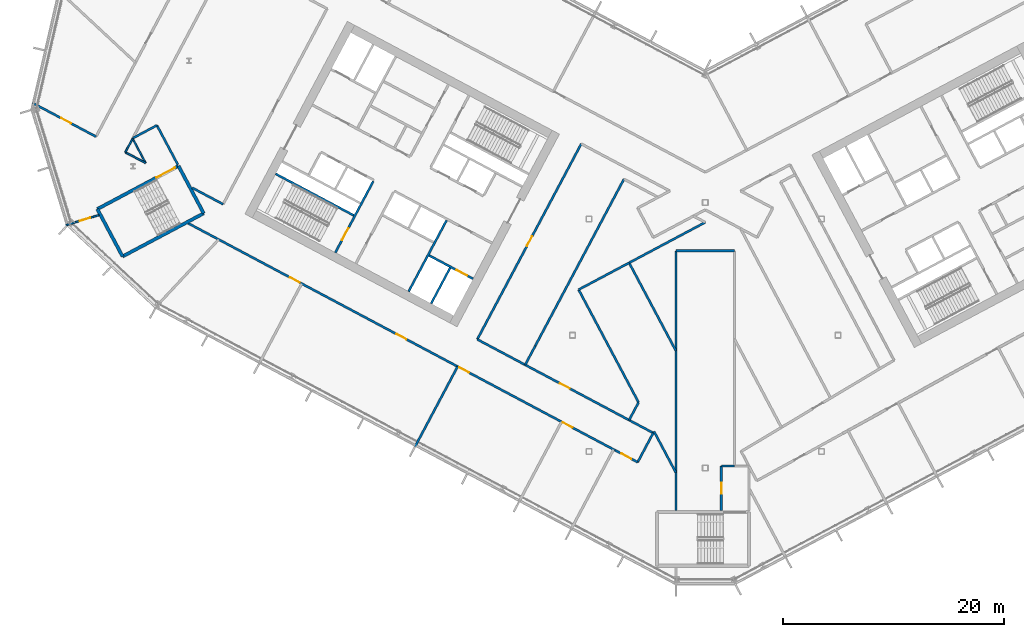
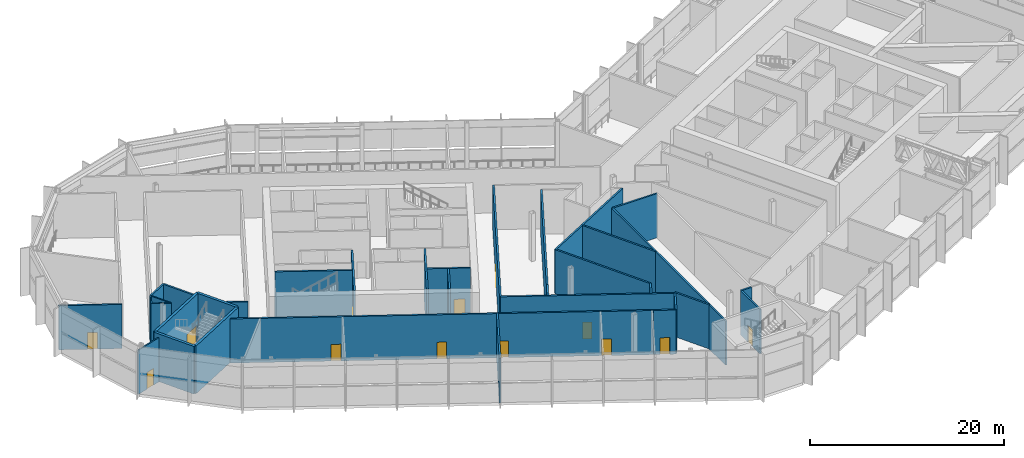
# One storey, part 13 of 33: 36 walls, 13 doors, 13 openings.
"""IFC4 building model written with IfcOpenShell, lengths in metres."""

from ifc_helpers import new_model, si_unit, direction, frame, frame_2d, origin, place, context, subcontext, project, spatial, rectangle, extrude, material, layer, layer_set, type_object, element, fill, save


model = new_model("IFC4")

# Units and contexts
model_context = context("Model", 3, precision=1e-05, world=origin(), true_north=direction((0.0, 1.0)))
body_context = subcontext(model_context, "Body", "Model", "MODEL_VIEW")
ifc_project = project(units=[si_unit("LENGTHUNIT", "METRE"), si_unit("AREAUNIT", "SQUARE_METRE"), si_unit("VOLUMEUNIT", "CUBIC_METRE"), si_unit("PLANEANGLEUNIT", "RADIAN"), si_unit("MASSUNIT", "GRAM", prefix="KILO")], contexts=[model_context])

# Site, building, storey
site_placement = place(None, origin())
site = spatial("IfcSite", under=ifc_project, at=site_placement, CompositionType="ELEMENT")
building_placement = place(site_placement, origin())
building = spatial("IfcBuilding", under=site, at=building_placement, Name="Cormorant Relay Tower", CompositionType="ELEMENT")
storey_placement = place(building_placement, frame((0.0, 0.0, 183.60009765625)))
storey = spatial("IfcBuildingStorey", under=building, at=storey_placement, Name="L39", CompositionType="ELEMENT", Elevation=183.60009765625)

# Walls
ifc_material_1 = material(Name="Concrete 50 MPa", Category="concrete")
ifc_layer_1 = layer(ifc_material_1, 0.199951171875)
ifc_layer_set_1 = layer_set([ifc_layer_1], Name="Core shaft wall 200")
wall_type_1 = type_object("IfcWallType", Name="Core shaft wall 200", PredefinedType="SHEAR", material=ifc_layer_set_1)
wall_1_placement = place(storey_placement, frame((-23.04296875, 6.07958984375, 0.0), z_axis=(0.0, 0.0, 1.0), x_axis=(-0.469494272526, -0.882935517501, 0.0)))
element("IfcWall", 1, at=wall_1_placement, inside=storey, type_object=wall_type_1, Name="L39 core A shaft wall", PredefinedType="SHEAR", context=body_context, shape_type="SweptSolid", body=[
    extrude(rectangle(XDim=3.64990234375, YDim=0.199951171875, at=frame_2d((1.824951171875, 0.0))), origin(), (0.0, 0.0, 1.0), 6.0),
])
wall_2_placement = place(storey_placement, frame((-23.360107421875, 10.38232421875, 0.0), z_axis=(0.0, 0.0, 1.0), x_axis=(-0.469480409012, -0.88294288918, 0.0)))
element("IfcWall", 2, at=wall_2_placement, inside=storey, type_object=wall_type_1, Name="L39 core A shaft wall", PredefinedType="SHEAR", context=body_context, shape_type="SweptSolid", body=[
    extrude(rectangle(XDim=7.300048828125, YDim=0.199951171875, at=frame_2d((3.64990234375, 0.0))), origin(), (0.0, 0.0, 1.0), 6.0),
])

# Wall, opening, door
wall_3_placement = place(storey_placement, frame((-29.982421875, 13.9033203125, 0.0), z_axis=(0.0, 0.0, 1.0), x_axis=(-0.469454336211, -0.882956752176, 0.0)))
wall_3 = element("IfcWall", 3, at=wall_3_placement, inside=storey, type_object=wall_type_1, Name="L39 core A shaft wall", PredefinedType="SHEAR", context=body_context, shape_type="SweptSolid", body=[
    extrude(rectangle(XDim=7.300048828125, YDim=0.199951171875, at=frame_2d((3.64990234375, 0.0))), origin(), (0.0, 0.0, 1.0), 6.0),
])
opening_1_placement = place(wall_3_placement, frame((4.800048828125, 0.0, 0.0)))
opening_1 = element("IfcOpeningElement", 4, at=opening_1_placement, cuts=wall_3, Name="Opening CDB-030", PredefinedType="OPENING", context=body_context, shape_type="SweptSolid", body=[
    extrude(rectangle(XDim=1.199951171875, YDim=2.10009765625, at=frame_2d((0.60009765625, 1.050048828125))), frame((0.0, 0.10986328125, 0.0), z_axis=(0.0, -1.0, 0.0), x_axis=(1.0, 0.0, 0.0)), (0.0, 0.0, 1.0), 0.219970703125),
])
ifc_material_2 = material(Name="Steel fire door", Category="steel")
door_type_1 = type_object("IfcDoorType", Name="Core stair door 1200x2100", OperationType="SINGLE_SWING_LEFT", PredefinedType="DOOR", material=ifc_material_2)
door_1_placement = place(opening_1_placement, frame((1.199951171875, 0.0, 0.0), z_axis=(0.0, 0.0, 1.0), x_axis=(-1.0, 0.0, 0.0)))
door_1 = element("IfcDoor", 5, at=door_1_placement, inside=storey, type_object=door_type_1, Name="Core stair door 1200x2100", OperationType="SINGLE_SWING_RIGHT", OverallHeight=2.10009765625, OverallWidth=1.199951171875, PredefinedType="DOOR", context=body_context, shape_type="SweptSolid", body=[
    extrude(rectangle(XDim=1.199951171875, YDim=2.10009765625, at=frame_2d((0.60009765625, 1.050048828125))), frame((0.0, 0.02490234375, 0.0), z_axis=(0.0, -1.0, 0.0), x_axis=(1.0, 0.0, 0.0)), (0.0, 0.0, 1.0), 0.050048828125),
])
fill(opening_1, door_1)

wall_4_placement = place(storey_placement, frame((-20.96533203125, 5.088134765625, 0.0), z_axis=(0.0, 0.0, 1.0), x_axis=(-0.882925986334, 0.469512196493, 0.0)))
wall_4 = element("IfcWall", 6, at=wall_4_placement, inside=storey, type_object=wall_type_1, Name="L39 core A shaft wall", PredefinedType="SHEAR", context=body_context, shape_type="SweptSolid", body=[
    extrude(rectangle(XDim=4.5, YDim=0.199951171875, at=frame_2d((2.25, 0.0))), origin(), (0.0, 0.0, 1.0), 6.0),
])
opening_2_placement = place(wall_4_placement, frame((0.60009765625, 0.0, 0.0)))
opening_2 = element("IfcOpeningElement", 7, at=opening_2_placement, cuts=wall_4, Name="Opening LD1-035", PredefinedType="OPENING", context=body_context, shape_type="SweptSolid", body=[
    extrude(rectangle(XDim=1.10009765625, YDim=2.10009765625, at=frame_2d((0.550048828125, 1.050048828125))), frame((0.0, 0.10986328125, 0.0), z_axis=(0.0, -1.0, 0.0), x_axis=(1.0, 0.0, 0.0)), (0.0, 0.0, 1.0), 0.219970703125),
])
ifc_material_3 = material(Name="Stainless steel 316", Category="steel")
door_type_2 = type_object("IfcDoorType", Name="Lift landing door 1100x2100", OperationType="DOUBLE_DOOR_SLIDING", PredefinedType="DOOR", material=ifc_material_3)
door_2_placement = place(opening_2_placement, origin())
door_2 = element("IfcDoor", 8, at=door_2_placement, inside=storey, type_object=door_type_2, Name="FF1 landing door", OperationType="DOUBLE_DOOR_SLIDING", OverallHeight=2.10009765625, OverallWidth=1.10009765625, PredefinedType="DOOR", context=body_context, shape_type="SweptSolid", body=[
    extrude(rectangle(XDim=1.10009765625, YDim=2.10009765625, at=frame_2d((0.550048828125, 1.050048828125))), frame((0.0, 0.02490234375, 0.0), z_axis=(0.0, -1.0, 0.0), x_axis=(1.0, 0.0, 0.0)), (0.0, 0.0, 1.0), 0.050048828125),
])
fill(opening_2, door_2)

# Wall
wall_5_placement = place(storey_placement, frame((-31.7373046875, 10.815673828125, 0.0), z_axis=(0.0, 0.0, 1.0), x_axis=(-0.882940221191, 0.469485426614, 0.0)))
element("IfcWall", 9, at=wall_5_placement, inside=storey, type_object=wall_type_1, Name="L39 core A shaft wall", PredefinedType="SHEAR", context=body_context, shape_type="SweptSolid", body=[
    extrude(rectangle(XDim=8.0, YDim=0.199951171875, at=frame_2d((4.0, 0.0))), origin(), (0.0, 0.0, 1.0), 6.0),
])

# Wall, opening, door
ifc_material_4 = material(Name="Fire-rated gypsum board partition")
ifc_layer_2 = layer(ifc_material_4, 0.199951171875)
ifc_layer_set_2 = layer_set([ifc_layer_2], Name="Fire-rated gypsum partition 200")
wall_type_2 = type_object("IfcWallType", Name="Fire-rated gypsum partition 200", PredefinedType="PARTITIONING", material=ifc_layer_set_2)
wall_6_placement = place(storey_placement, frame((-55.02294921875, 17.929931640625, 0.0), z_axis=(0.0, 0.0, 1.0), x_axis=(-0.882885586621, 0.469588160984, 0.0)))
wall_6 = element("IfcWall", 10, at=wall_6_placement, inside=storey, type_object=wall_type_2, Name="wall/L39/part/4", PredefinedType="PARTITIONING", context=body_context, shape_type="SweptSolid", body=[
    extrude(rectangle(XDim=6.52734375, YDim=0.199951171875, at=frame_2d((3.263671875, 0.0))), origin(), (0.0, 0.0, 1.0), 5.5498046875),
])
opening_3_placement = place(wall_6_placement, frame((2.550048828125, 0.0, 0.0)))
opening_3 = element("IfcOpeningElement", 11, at=opening_3_placement, cuts=wall_6, Name="Opening FD1-160", PredefinedType="OPENING", context=body_context, shape_type="SweptSolid", body=[
    extrude(rectangle(XDim=1.0, YDim=2.10009765625, at=frame_2d((0.5, 1.050048828125))), frame((0.0, 0.10986328125, 0.0), z_axis=(0.0, -1.0, 0.0), x_axis=(1.0, 0.0, 0.0)), (0.0, 0.0, 1.0), 0.219970703125),
])
ifc_material_5 = material(Name="Fire-rated steel door", Category="steel")
door_type_3 = type_object("IfcDoorType", Name="Fire door 1000 x 2100", OperationType="SINGLE_SWING_LEFT", PredefinedType="DOOR", material=ifc_material_5)
door_3_placement = place(opening_3_placement, frame((1.0, 0.0, 0.0), z_axis=(0.0, 0.0, 1.0), x_axis=(-1.0, 0.0, 0.0)))
door_3 = element("IfcDoor", 12, at=door_3_placement, inside=storey, type_object=door_type_3, Name="door/L39/2", OperationType="SINGLE_SWING_RIGHT", OverallHeight=2.10009765625, OverallWidth=1.0, PredefinedType="DOOR", context=body_context, shape_type="SweptSolid", body=[
    extrude(rectangle(XDim=1.0, YDim=2.10009765625, at=frame_2d((0.5, 1.050048828125))), frame((0.0, 0.02490234375, 0.0), z_axis=(0.0, -1.0, 0.0), x_axis=(1.0, 0.0, 0.0)), (0.0, 0.0, 1.0), 0.050048828125),
])
fill(opening_3, door_3)

# Walls
wall_7_placement = place(storey_placement, frame((-47.63720703125, 15.40869140625, 0.0), z_axis=(0.0, 0.0, 1.0), x_axis=(-0.469590790968, 0.882884187783, 0.0)))
element("IfcWall", 13, at=wall_7_placement, inside=storey, type_object=wall_type_2, Name="wall/L39/part/8", PredefinedType="PARTITIONING", context=body_context, shape_type="SweptSolid", body=[
    extrude(rectangle(XDim=4.015625, YDim=0.199951171875, at=frame_2d((2.0078125, 0.0))), origin(), (0.0, 0.0, 1.0), 5.5498046875),
])
wall_8_placement = place(storey_placement, frame((-49.52294921875, 18.9541015625, 0.0), z_axis=(0.0, 0.0, 1.0), x_axis=(-0.882767334528, -0.469810422501, 0.0)))
element("IfcWall", 14, at=wall_8_placement, inside=storey, type_object=wall_type_2, Name="wall/L39/part/9", PredefinedType="PARTITIONING", context=body_context, shape_type="SweptSolid", body=[
    extrude(rectangle(XDim=2.460693359375, YDim=0.199951171875, at=frame_2d((1.23046875, 0.0))), origin(), (0.0, 0.0, 1.0), 5.5498046875),
])
wall_9_placement = place(storey_placement, frame((-43.5439453125, 11.826904296875, 0.0), z_axis=(0.0, 0.0, 1.0), x_axis=(-0.88289413979, 0.469572079584, 0.0)))
element("IfcWall", 15, at=wall_9_placement, inside=storey, type_object=wall_type_2, Name="wall/L39/part/13", PredefinedType="PARTITIONING", context=body_context, shape_type="SweptSolid", body=[
    extrude(rectangle(XDim=3.16845703125, YDim=0.199951171875, at=frame_2d((1.584228515625, 0.0))), origin(), (0.0, 0.0, 1.0), 5.5498046875),
])

# Wall, openings, doors
wall_10_placement = place(storey_placement, frame((-8.14404296875, -10.39306640625, 0.0), z_axis=(0.0, 0.0, 1.0), x_axis=(-0.882945087791, 0.469476274102, 0.0)))
wall_10 = element("IfcWall", 16, at=wall_10_placement, inside=storey, type_object=wall_type_2, Name="wall/L39/part/16", PredefinedType="PARTITIONING", context=body_context, shape_type="SweptSolid", body=[
    extrude(rectangle(XDim=43.660400390625, YDim=0.199951171875, at=frame_2d((21.830078125, 0.0))), origin(), (0.0, 0.0, 1.0), 5.5498046875),
])
opening_4_placement = place(wall_10_placement, frame((32.25, 0.0, 0.0)))
opening_4 = element("IfcOpeningElement", 17, at=opening_4_placement, cuts=wall_10, Name="Opening FD1-154", PredefinedType="OPENING", context=body_context, shape_type="SweptSolid", body=[
    extrude(rectangle(XDim=1.0, YDim=2.10009765625, at=frame_2d((0.5, 1.050048828125))), frame((0.0, 0.10986328125, 0.0), z_axis=(0.0, -1.0, 0.0), x_axis=(1.0, 0.0, 0.0)), (0.0, 0.0, 1.0), 0.219970703125),
])
opening_5_placement = place(wall_10_placement, frame((21.35009765625, 0.0, 0.0)))
opening_5 = element("IfcOpeningElement", 18, at=opening_5_placement, cuts=wall_10, Name="Opening FD1-155", PredefinedType="OPENING", context=body_context, shape_type="SweptSolid", body=[
    extrude(rectangle(XDim=1.0, YDim=2.10009765625, at=frame_2d((0.5, 1.050048828125))), frame((0.0, 0.10986328125, 0.0), z_axis=(0.0, -1.0, 0.0), x_axis=(1.0, 0.0, 0.0)), (0.0, 0.0, 1.0), 0.219970703125),
])
opening_6_placement = place(wall_10_placement, frame((14.949951171875, 0.0, 0.0)))
opening_6 = element("IfcOpeningElement", 19, at=opening_6_placement, cuts=wall_10, Name="Opening FD1-157", PredefinedType="OPENING", context=body_context, shape_type="SweptSolid", body=[
    extrude(rectangle(XDim=1.0, YDim=2.10009765625, at=frame_2d((0.5, 1.050048828125))), frame((0.0, 0.10986328125, 0.0), z_axis=(0.0, -1.0, 0.0), x_axis=(1.0, 0.0, 0.0)), (0.0, 0.0, 1.0), 0.219970703125),
])
opening_7_placement = place(wall_10_placement, frame((4.35009765625, 0.0, 0.0)))
opening_7 = element("IfcOpeningElement", 20, at=opening_7_placement, cuts=wall_10, Name="Opening FD1-159", PredefinedType="OPENING", context=body_context, shape_type="SweptSolid", body=[
    extrude(rectangle(XDim=1.0, YDim=2.10009765625, at=frame_2d((0.5, 1.050048828125))), frame((0.0, 0.10986328125, 0.0), z_axis=(0.0, -1.0, 0.0), x_axis=(1.0, 0.0, 0.0)), (0.0, 0.0, 1.0), 0.219970703125),
])
door_4_placement = place(opening_4_placement, origin())
door_4 = element("IfcDoor", 21, at=door_4_placement, inside=storey, type_object=door_type_3, Name="door/L39/14", OperationType="SINGLE_SWING_LEFT", OverallHeight=2.10009765625, OverallWidth=1.0, PredefinedType="DOOR", context=body_context, shape_type="SweptSolid", body=[
    extrude(rectangle(XDim=1.0, YDim=2.10009765625, at=frame_2d((0.5, 1.050048828125))), frame((0.0, 0.02490234375, 0.0), z_axis=(0.0, -1.0, 0.0), x_axis=(1.0, 0.0, 0.0)), (0.0, 0.0, 1.0), 0.050048828125),
])
fill(opening_4, door_4)
door_5_placement = place(opening_5_placement, origin())
door_5 = element("IfcDoor", 22, at=door_5_placement, inside=storey, type_object=door_type_3, Name="door/L39/15", OperationType="SINGLE_SWING_LEFT", OverallHeight=2.10009765625, OverallWidth=1.0, PredefinedType="DOOR", context=body_context, shape_type="SweptSolid", body=[
    extrude(rectangle(XDim=1.0, YDim=2.10009765625, at=frame_2d((0.5, 1.050048828125))), frame((0.0, 0.02490234375, 0.0), z_axis=(0.0, -1.0, 0.0), x_axis=(1.0, 0.0, 0.0)), (0.0, 0.0, 1.0), 0.050048828125),
])
fill(opening_5, door_5)
door_6_placement = place(opening_6_placement, origin())
door_6 = element("IfcDoor", 23, at=door_6_placement, inside=storey, type_object=door_type_3, Name="door/L39/17", OperationType="SINGLE_SWING_RIGHT", OverallHeight=2.10009765625, OverallWidth=1.0, PredefinedType="DOOR", context=body_context, shape_type="SweptSolid", body=[
    extrude(rectangle(XDim=1.0, YDim=2.10009765625, at=frame_2d((0.5, 1.050048828125))), frame((0.0, 0.02490234375, 0.0), z_axis=(0.0, -1.0, 0.0), x_axis=(1.0, 0.0, 0.0)), (0.0, 0.0, 1.0), 0.050048828125),
])
fill(opening_6, door_6)
door_7_placement = place(opening_7_placement, origin())
door_7 = element("IfcDoor", 24, at=door_7_placement, inside=storey, type_object=door_type_3, Name="door/L39/19", OperationType="SINGLE_SWING_RIGHT", OverallHeight=2.10009765625, OverallWidth=1.0, PredefinedType="DOOR", context=body_context, shape_type="SweptSolid", body=[
    extrude(rectangle(XDim=1.0, YDim=2.10009765625, at=frame_2d((0.5, 1.050048828125))), frame((0.0, 0.02490234375, 0.0), z_axis=(0.0, -1.0, 0.0), x_axis=(1.0, 0.0, 0.0)), (0.0, 0.0, 1.0), 0.050048828125),
])
fill(opening_7, door_7)

# Walls
wall_11_placement = place(storey_placement, frame((-22.364013671875, -2.83203125, 0.0), z_axis=(0.0, 0.0, 1.0), x_axis=(-0.4695216236, -0.882920973231, 0.0)))
element("IfcWall", 25, at=wall_11_placement, inside=storey, type_object=wall_type_2, Name="wall/L39/part/19", PredefinedType="PARTITIONING", context=body_context, shape_type="SweptSolid", body=[
    extrude(rectangle(XDim=8.199951171875, YDim=0.199951171875, at=frame_2d((4.10009765625, 0.0))), origin(), (0.0, 0.0, 1.0), 5.5498046875),
])
wall_12_placement = place(storey_placement, frame((-15.35302734375, -0.969970703125, 0.0), z_axis=(0.0, 0.0, 1.0), x_axis=(0.469461347352, 0.882953024426, 0.0)))
element("IfcWall", 26, at=wall_12_placement, inside=storey, type_object=wall_type_2, Name="wall/L39/part/24", PredefinedType="PARTITIONING", context=body_context, shape_type="SweptSolid", body=[
    extrude(rectangle(XDim=17.064208984375, YDim=0.199951171875, at=frame_2d((8.5322265625, 0.0))), origin(), (0.0, 0.0, 1.0), 5.5498046875),
])
wall_13_placement = place(storey_placement, frame((-15.35302734375, -0.969970703125, 0.0), z_axis=(0.0, 0.0, 1.0), x_axis=(-0.469573229387, -0.88289352826, 0.0)))
element("IfcWall", 27, at=wall_13_placement, inside=storey, type_object=wall_type_2, Name="wall/L39/part/26", PredefinedType="PARTITIONING", context=body_context, shape_type="SweptSolid", body=[
    extrude(rectangle(XDim=1.935546875, YDim=0.199951171875, at=frame_2d((0.9677734375, 0.0))), origin(), (0.0, 0.0, 1.0), 5.5498046875),
])

# Wall, opening, door
wall_14_placement = place(storey_placement, frame((-20.587890625, -0.37890625, 0.0), z_axis=(0.0, 0.0, 1.0), x_axis=(0.469489882812, 0.882937851685, 0.0)))
wall_14 = element("IfcWall", 28, at=wall_14_placement, inside=storey, type_object=wall_type_2, Name="wall/L39/part/27", PredefinedType="PARTITIONING", context=body_context, shape_type="SweptSolid", body=[
    extrude(rectangle(XDim=20.000244140625, YDim=0.199951171875, at=frame_2d((10.0, 0.0))), origin(), (0.0, 0.0, 1.0), 5.5498046875),
])
opening_8_placement = place(wall_14_placement, frame((9.550048828125, 0.0, 0.0)))
opening_8 = element("IfcOpeningElement", 29, at=opening_8_placement, cuts=wall_14, Name="Opening FD1-156", PredefinedType="OPENING", context=body_context, shape_type="SweptSolid", body=[
    extrude(rectangle(XDim=1.0, YDim=2.10009765625, at=frame_2d((0.5, 1.050048828125))), frame((0.0, 0.10986328125, 0.0), z_axis=(0.0, -1.0, 0.0), x_axis=(1.0, 0.0, 0.0)), (0.0, 0.0, 1.0), 0.219970703125),
])
door_8_placement = place(opening_8_placement, frame((1.0, 0.0, 0.0), z_axis=(0.0, 0.0, 1.0), x_axis=(-1.0, 0.0, 0.0)))
door_8 = element("IfcDoor", 30, at=door_8_placement, inside=storey, type_object=door_type_3, Name="door/L39/16", OperationType="SINGLE_SWING_LEFT", OverallHeight=2.10009765625, OverallWidth=1.0, PredefinedType="DOOR", context=body_context, shape_type="SweptSolid", body=[
    extrude(rectangle(XDim=1.0, YDim=2.10009765625, at=frame_2d((0.5, 1.050048828125))), frame((0.0, 0.02490234375, 0.0), z_axis=(0.0, -1.0, 0.0), x_axis=(1.0, 0.0, 0.0)), (0.0, 0.0, 1.0), 0.050048828125),
])
fill(opening_8, door_8)

# Walls
wall_15_placement = place(storey_placement, frame((-6.873046875, 6.5380859375, 0.0), z_axis=(0.0, 0.0, 1.0), x_axis=(-0.882996997183, -0.469378634969, 0.0)))
element("IfcWall", 31, at=wall_15_placement, inside=storey, type_object=wall_type_2, Name="wall/L39/part/29", PredefinedType="PARTITIONING", context=body_context, shape_type="SweptSolid", body=[
    extrude(rectangle(XDim=5.16650390625, YDim=0.199951171875, at=frame_2d((2.583251953125, 0.0))), origin(), (0.0, 0.0, 1.0), 5.5498046875),
])
wall_16_placement = place(storey_placement, frame((-11.43505859375, 4.113037109375, 0.0), z_axis=(0.0, 0.0, 1.0), x_axis=(0.469480251476, -0.882942972946, 0.0)))
element("IfcWall", 32, at=wall_16_placement, inside=storey, type_object=wall_type_2, Name="wall/L39/part/30", PredefinedType="PARTITIONING", context=body_context, shape_type="SweptSolid", body=[
    extrude(rectangle(XDim=11.531982421875, YDim=0.199951171875, at=frame_2d((5.76611328125, 0.0))), origin(), (0.0, 0.0, 1.0), 5.5498046875),
])
wall_17_placement = place(storey_placement, frame((-6.02099609375, -6.069091796875, 0.0), z_axis=(0.0, 0.0, 1.0), x_axis=(-0.469624131111, -0.882866453932, 0.0)))
element("IfcWall", 33, at=wall_17_placement, inside=storey, type_object=wall_type_2, Name="wall/L39/part/31", PredefinedType="PARTITIONING", context=body_context, shape_type="SweptSolid", body=[
    extrude(rectangle(XDim=1.814208984375, YDim=0.199951171875, at=frame_2d((0.9072265625, 0.0))), origin(), (0.0, 0.0, 1.0), 5.5498046875),
])
wall_18_placement = place(storey_placement, frame((-4.695068359375, -8.8291015625, 0.0), z_axis=(0.0, 0.0, 1.0), x_axis=(-0.469341661158, -0.883016650523, 0.0)))
element("IfcWall", 34, at=wall_18_placement, inside=storey, type_object=wall_type_2, Name="wall/L39/part/33", PredefinedType="PARTITIONING", context=body_context, shape_type="SweptSolid", body=[
    extrude(rectangle(XDim=2.999755859375, YDim=0.199951171875, at=frame_2d((1.5, 0.0))), origin(), (0.0, 0.0, 1.0), 5.5498046875),
])

# Wall, opening, door
wall_19_placement = place(storey_placement, frame((-6.10302734375, -11.47802734375, 0.0), z_axis=(0.0, 0.0, 1.0), x_axis=(-0.882995347911, 0.469381737574, 0.0)))
wall_19 = element("IfcWall", 35, at=wall_19_placement, inside=storey, type_object=wall_type_2, Name="wall/L39/part/34", PredefinedType="PARTITIONING", context=body_context, shape_type="SweptSolid", body=[
    extrude(rectangle(XDim=2.3115234375, YDim=0.199951171875, at=frame_2d((1.15576171875, 0.0))), origin(), (0.0, 0.0, 1.0), 5.5498046875),
])
opening_9_placement = place(wall_19_placement, frame((0.64990234375, 0.0, 0.0)))
opening_9 = element("IfcOpeningElement", 36, at=opening_9_placement, cuts=wall_19, Name="Opening FD1-161", PredefinedType="OPENING", context=body_context, shape_type="SweptSolid", body=[
    extrude(rectangle(XDim=1.0, YDim=2.10009765625, at=frame_2d((0.5, 1.050048828125))), frame((0.0, 0.10986328125, 0.0), z_axis=(0.0, -1.0, 0.0), x_axis=(1.0, 0.0, 0.0)), (0.0, 0.0, 1.0), 0.219970703125),
])
door_9_placement = place(opening_9_placement, origin())
door_9 = element("IfcDoor", 37, at=door_9_placement, inside=storey, type_object=door_type_3, Name="door/L39/20", OperationType="SINGLE_SWING_RIGHT", OverallHeight=2.10009765625, OverallWidth=1.0, PredefinedType="DOOR", context=body_context, shape_type="SweptSolid", body=[
    extrude(rectangle(XDim=1.0, YDim=2.10009765625, at=frame_2d((0.5, 1.050048828125))), frame((0.0, 0.02490234375, 0.0), z_axis=(0.0, -1.0, 0.0), x_axis=(1.0, 0.0, 0.0)), (0.0, 0.0, 1.0), 0.050048828125),
])
fill(opening_9, door_9)

# Walls
wall_20_placement = place(storey_placement, frame((0.0, 10.193115234375, 0.0), z_axis=(0.0, 0.0, 1.0), x_axis=(-0.882917481192, -0.469528190215, 0.0)))
element("IfcWall", 38, at=wall_20_placement, inside=storey, type_object=wall_type_2, Name="wall/L39/part/36", PredefinedType="PARTITIONING", context=body_context, shape_type="SweptSolid", body=[
    extrude(rectangle(XDim=7.784423828125, YDim=0.199951171875, at=frame_2d((3.89208984375, 0.0))), origin(), (0.0, 0.0, 1.0), 5.5498046875),
])
wall_21_placement = place(storey_placement, frame((-2.64892578125, -1.406982421875, 0.0), z_axis=(0.0, 0.0, 1.0), x_axis=(-0.469441525693, 0.882963563209, 0.0)))
element("IfcWall", 39, at=wall_21_placement, inside=storey, type_object=wall_type_2, Name="wall/L39/part/37", PredefinedType="PARTITIONING", context=body_context, shape_type="SweptSolid", body=[
    extrude(rectangle(XDim=8.998291015625, YDim=0.199951171875, at=frame_2d((4.4990234375, 0.0))), origin(), (0.0, 0.0, 1.0), 5.5498046875),
])
wall_22_placement = place(storey_placement, frame((-4.6240234375, -8.697021484375, 0.0), z_axis=(0.0, 0.0, 1.0), x_axis=(0.469425311491, -0.882972183555, 0.0)))
element("IfcWall", 40, at=wall_22_placement, inside=storey, type_object=wall_type_2, Name="wall/L39/part/38", PredefinedType="PARTITIONING", context=body_context, shape_type="SweptSolid", body=[
    extrude(rectangle(XDim=4.20751953125, YDim=0.199951171875, at=frame_2d((2.103759765625, 0.0))), origin(), (0.0, 0.0, 1.0), 5.5498046875),
])

# Wall, opening, door
wall_23_placement = place(storey_placement, frame((-20.587890625, -0.37890625, 0.0), z_axis=(0.0, 0.0, 1.0), x_axis=(0.882951465933, -0.469464278521, 0.0)))
wall_23 = element("IfcWall", 41, at=wall_23_placement, inside=storey, type_object=wall_type_2, Name="wall/L39/part/40", PredefinedType="PARTITIONING", context=body_context, shape_type="SweptSolid", body=[
    extrude(rectangle(XDim=17.999755859375, YDim=0.199951171875, at=frame_2d((9.0, 0.0))), origin(), (0.0, 0.0, 1.0), 5.5498046875),
])
opening_10_placement = place(wall_23_placement, frame((8.449951171875, 0.0, 0.0)))
opening_10 = element("IfcOpeningElement", 42, at=opening_10_placement, cuts=wall_23, Name="Opening FD1-158", PredefinedType="OPENING", context=body_context, shape_type="SweptSolid", body=[
    extrude(rectangle(XDim=1.0, YDim=2.10009765625, at=frame_2d((0.5, 1.050048828125))), frame((0.0, 0.10986328125, 0.0), z_axis=(0.0, -1.0, 0.0), x_axis=(1.0, 0.0, 0.0)), (0.0, 0.0, 1.0), 0.219970703125),
])
door_10_placement = place(opening_10_placement, origin())
door_10 = element("IfcDoor", 43, at=door_10_placement, inside=storey, type_object=door_type_3, Name="door/L39/18", OperationType="SINGLE_SWING_RIGHT", OverallHeight=2.10009765625, OverallWidth=1.0, PredefinedType="DOOR", context=body_context, shape_type="SweptSolid", body=[
    extrude(rectangle(XDim=1.0, YDim=2.10009765625, at=frame_2d((0.5, 1.050048828125))), frame((0.0, 0.02490234375, 0.0), z_axis=(0.0, -1.0, 0.0), x_axis=(1.0, 0.0, 0.0)), (0.0, 0.0, 1.0), 0.050048828125),
])
fill(opening_10, door_10)

# Walls
wall_24_placement = place(storey_placement, frame((-2.64892578125, 7.6240234375, 0.0), z_axis=(0.0, 0.0, 1.0), x_axis=(0.0, -1.0, 0.0)))
element("IfcWall", 44, at=wall_24_placement, inside=storey, type_object=wall_type_2, Name="wall/L39/part/46", PredefinedType="PARTITIONING", context=body_context, shape_type="SweptSolid", body=[
    extrude(rectangle(XDim=8.921142578125, YDim=0.199951171875, at=frame_2d((4.46044921875, 0.0))), origin(), (0.0, 0.0, 1.0), 5.5498046875),
])
wall_25_placement = place(storey_placement, frame((-2.64892578125, 7.6240234375, 0.0), z_axis=(0.0, 0.0, 1.0), x_axis=(1.0, 0.0, 0.0)))
element("IfcWall", 45, at=wall_25_placement, inside=storey, type_object=wall_type_2, Name="wall/L39/part/47", PredefinedType="PARTITIONING", context=body_context, shape_type="SweptSolid", body=[
    extrude(rectangle(XDim=5.2978515625, YDim=0.199951171875, at=frame_2d((2.64892578125, 0.0))), origin(), (0.0, 0.0, 1.0), 5.5498046875),
])
wall_26_placement = place(storey_placement, frame((-2.64892578125, -15.840087890625, 0.0), z_axis=(0.0, 0.0, 1.0), x_axis=(0.0, 1.0, 0.0)))
element("IfcWall", 46, at=wall_26_placement, inside=storey, type_object=wall_type_2, Name="wall/L39/part/48", PredefinedType="PARTITIONING", context=body_context, shape_type="SweptSolid", body=[
    extrude(rectangle(XDim=14.54296875, YDim=0.199951171875, at=frame_2d((7.271484375, 0.0))), origin(), (0.0, 0.0, 1.0), 5.5498046875),
])

# Wall, opening, door
wall_27_placement = place(storey_placement, frame((1.449951171875, -15.840087890625, 0.0), z_axis=(0.0, 0.0, 1.0), x_axis=(0.0, 1.0, 0.0)))
wall_27 = element("IfcWall", 47, at=wall_27_placement, inside=storey, type_object=wall_type_2, Name="wall/L39/part/54", PredefinedType="PARTITIONING", context=body_context, shape_type="SweptSolid", body=[
    extrude(rectangle(XDim=4.01513671875, YDim=0.199951171875, at=frame_2d((2.007568359375, 0.0))), origin(), (0.0, 0.0, 1.0), 5.5498046875),
])
opening_11_placement = place(wall_27_placement, frame((1.514892578125, 0.0, 0.0)))
opening_11 = element("IfcOpeningElement", 48, at=opening_11_placement, cuts=wall_27, Name="Opening FD1-171", PredefinedType="OPENING", context=body_context, shape_type="SweptSolid", body=[
    extrude(rectangle(XDim=1.0, YDim=2.10009765625, at=frame_2d((0.5, 1.050048828125))), frame((0.0, 0.10986328125, 0.0), z_axis=(0.0, -1.0, 0.0), x_axis=(1.0, 0.0, 0.0)), (0.0, 0.0, 1.0), 0.219970703125),
])
door_11_placement = place(opening_11_placement, frame((1.0, 0.0, 0.0), z_axis=(0.0, 0.0, 1.0), x_axis=(-1.0, 0.0, 0.0)))
door_11 = element("IfcDoor", 49, at=door_11_placement, inside=storey, type_object=door_type_3, Name="door/L39/4", OperationType="SINGLE_SWING_LEFT", OverallHeight=2.10009765625, OverallWidth=1.0, PredefinedType="DOOR", context=body_context, shape_type="SweptSolid", body=[
    extrude(rectangle(XDim=1.0, YDim=2.10009765625, at=frame_2d((0.5, 1.050048828125))), frame((0.0, 0.02490234375, 0.0), z_axis=(0.0, -1.0, 0.0), x_axis=(1.0, 0.0, 0.0)), (0.0, 0.0, 1.0), 0.050048828125),
])
fill(opening_11, door_11)

# Wall
wall_28_placement = place(storey_placement, frame((2.64697265625, -11.824951171875, 0.0), z_axis=(0.0, 0.0, 1.0), x_axis=(-0.999999667213, -0.000815826773, 0.0)))
element("IfcWall", 50, at=wall_28_placement, inside=storey, type_object=wall_type_2, Name="wall/L39/part/55", PredefinedType="PARTITIONING", context=body_context, shape_type="SweptSolid", body=[
    extrude(rectangle(XDim=1.197021484375, YDim=0.199951171875, at=frame_2d((0.5986328125, 0.0))), origin(), (0.0, 0.0, 1.0), 5.5498046875),
])

# Wall, opening, door
ifc_material_6 = material(Name="Gypsum board partition")
ifc_layer_3 = layer(ifc_material_6, 0.14990234375)
ifc_layer_set_3 = layer_set([ifc_layer_3], Name="Gypsum board partition 150")
wall_type_3 = type_object("IfcWallType", Name="Gypsum board partition 150", PredefinedType="PARTITIONING", material=ifc_layer_set_3)
wall_29_placement = place(storey_placement, frame((-54.7607421875, 10.847900390625, 0.0), z_axis=(0.0, 0.0, 1.0), x_axis=(-0.956301064033, -0.29238378021, 0.0)))
wall_29 = element("IfcWall", 51, at=wall_29_placement, inside=storey, type_object=wall_type_3, Name="wall/L39/part/5", PredefinedType="PARTITIONING", context=body_context, shape_type="SweptSolid", body=[
    extrude(rectangle(XDim=3.115478515625, YDim=0.14990234375, at=frame_2d((1.5576171875, 0.0))), origin(), (0.0, 0.0, 1.0), 5.5498046875),
])
opening_12_placement = place(wall_29_placement, frame((0.820068359375, 0.0, 0.0)))
opening_12 = element("IfcOpeningElement", 52, at=opening_12_placement, cuts=wall_29, Name="Opening D1-057", PredefinedType="OPENING", context=body_context, shape_type="SweptSolid", body=[
    extrude(rectangle(XDim=1.0, YDim=2.10009765625, at=frame_2d((0.5, 1.050048828125))), frame((0.0, 0.0849609375, 0.0), z_axis=(0.0, -1.0, 0.0), x_axis=(1.0, 0.0, 0.0)), (0.0, 0.0, 1.0), 0.169921875),
])
ifc_material_7 = material(Name="Painted steel door", Category="steel")
door_type_4 = type_object("IfcDoorType", Name="Single door 1000 x 2100", OperationType="SINGLE_SWING_LEFT", PredefinedType="DOOR", material=ifc_material_7)
door_12_placement = place(opening_12_placement, origin())
door_12 = element("IfcDoor", 53, at=door_12_placement, inside=storey, type_object=door_type_4, Name="door/L39/13", OperationType="SINGLE_SWING_RIGHT", OverallHeight=2.10009765625, OverallWidth=1.0, PredefinedType="DOOR", context=body_context, shape_type="SweptSolid", body=[
    extrude(rectangle(XDim=1.0, YDim=2.10009765625, at=frame_2d((0.5, 1.050048828125))), frame((0.0, 0.02490234375, 0.0), z_axis=(0.0, -1.0, 0.0), x_axis=(1.0, 0.0, 0.0)), (0.0, 0.0, 1.0), 0.050048828125),
])
fill(opening_12, door_12)

# Walls
wall_30_placement = place(storey_placement, frame((-50.5439453125, 15.549072265625, 0.0), z_axis=(0.0, 0.0, 1.0), x_axis=(-0.469183782948, 0.883100547967, 0.0)))
element("IfcWall", 54, at=wall_30_placement, inside=storey, type_object=wall_type_3, Name="wall/L39/part/87", PredefinedType="PARTITIONING", context=body_context, shape_type="SweptSolid", body=[
    extrude(rectangle(XDim=2.500244140625, YDim=0.14990234375, at=frame_2d((1.25, 0.0))), origin(), (0.0, 0.0, 1.0), 5.5498046875),
])
wall_31_placement = place(storey_placement, frame((-51.717041015625, 17.757080078125, 0.0), z_axis=(0.0, 0.0, 1.0), x_axis=(-0.469618761384, -0.882869310236, 0.0)))
element("IfcWall", 55, at=wall_31_placement, inside=storey, type_object=wall_type_3, Name="wall/L39/part/88", PredefinedType="PARTITIONING", context=body_context, shape_type="SweptSolid", body=[
    extrude(rectangle(XDim=1.39892578125, YDim=0.14990234375, at=frame_2d((0.699462890625, 0.0))), origin(), (0.0, 0.0, 1.0), 5.5498046875),
])
wall_32_placement = place(storey_placement, frame((-52.3740234375, 16.52197265625, 0.0), z_axis=(0.0, 0.0, 1.0), x_axis=(0.882981472085, -0.469407839682, 0.0)))
element("IfcWall", 56, at=wall_32_placement, inside=storey, type_object=wall_type_3, Name="wall/L39/part/89", PredefinedType="PARTITIONING", context=body_context, shape_type="SweptSolid", body=[
    extrude(rectangle(XDim=2.072509765625, YDim=0.14990234375, at=frame_2d((1.0361328125, 0.0))), origin(), (0.0, 0.0, 1.0), 5.5498046875),
])
ifc_material_8 = material(Name="Concrete 50 MPa", Category="concrete")
ifc_layer_4 = layer(ifc_material_8, 0.300048828125)
ifc_layer_set_4 = layer_set([ifc_layer_4], Name="Remote stair wall 300")
wall_type_4 = type_object("IfcWallType", Name="Remote stair wall 300", PredefinedType="SHEAR", material=ifc_layer_set_4)
wall_33_placement = place(storey_placement, frame((-47.57421875, 15.28955078125, 0.0), z_axis=(0.0, 0.0, 1.0), x_axis=(0.469443498566, -0.882962514297, 0.0)))
element("IfcWall", 57, at=wall_33_placement, inside=storey, type_object=wall_type_4, Name="L39 exit stair RP1 wall", PredefinedType="SHEAR", context=body_context, shape_type="SweptSolid", body=[
    extrude(rectangle(XDim=4.85009765625, YDim=0.300048828125, at=frame_2d((2.425048828125, 0.0))), origin(), (0.0, 0.0, 1.0), 6.0),
])
wall_34_placement = place(storey_placement, frame((-45.29736328125, 11.007080078125, 0.0), z_axis=(0.0, 0.0, 1.0), x_axis=(-0.882951519127, -0.469464178475, 0.0)))
element("IfcWall", 58, at=wall_34_placement, inside=storey, type_object=wall_type_4, Name="L39 exit stair RP1 wall", PredefinedType="SHEAR", context=body_context, shape_type="SweptSolid", body=[
    extrude(rectangle(XDim=8.2998046875, YDim=0.300048828125, at=frame_2d((4.14990234375, 0.0))), origin(), (0.0, 0.0, 1.0), 6.0),
])
wall_35_placement = place(storey_placement, frame((-52.625732421875, 7.110595703125, 0.0), z_axis=(0.0, 0.0, 1.0), x_axis=(-0.469464364128, 0.882951420416, 0.0)))
element("IfcWall", 59, at=wall_35_placement, inside=storey, type_object=wall_type_4, Name="L39 exit stair RP1 wall", PredefinedType="SHEAR", context=body_context, shape_type="SweptSolid", body=[
    extrude(rectangle(XDim=4.849853515625, YDim=0.300048828125, at=frame_2d((2.4248046875, 0.0))), origin(), (0.0, 0.0, 1.0), 6.0),
])

# Wall, opening, door
wall_36_placement = place(storey_placement, frame((-54.902587890625, 11.392822265625, 0.0), z_axis=(0.0, 0.0, 1.0), x_axis=(0.882939326045, 0.469487110071, 0.0)))
wall_36 = element("IfcWall", 60, at=wall_36_placement, inside=storey, type_object=wall_type_4, Name="L39 exit stair RP1 wall", PredefinedType="SHEAR", context=body_context, shape_type="SweptSolid", body=[
    extrude(rectangle(XDim=8.300048828125, YDim=0.300048828125, at=frame_2d((4.14990234375, 0.0))), origin(), (0.0, 0.0, 1.0), 6.0),
])
opening_13_placement = place(wall_36_placement, frame((6.050048828125, 0.0, 0.0)))
opening_13 = element("IfcOpeningElement", 61, at=opening_13_placement, cuts=wall_36, Name="Opening CDE-011", PredefinedType="OPENING", context=body_context, shape_type="SweptSolid", body=[
    extrude(rectangle(XDim=1.89990234375, YDim=2.10009765625, at=frame_2d((0.949951171875, 1.050048828125))), frame((0.0, 0.159912109375, 0.0), z_axis=(0.0, -1.0, 0.0), x_axis=(1.0, 0.0, 0.0)), (0.0, 0.0, 1.0), 0.320068359375),
])
ifc_material_9 = material(Name="Steel fire door", Category="steel")
door_type_5 = type_object("IfcDoorType", Name="Remote stair door 1900x2100", OperationType="DOUBLE_DOOR_SINGLE_SWING", PredefinedType="DOOR", material=ifc_material_9)
door_13_placement = place(opening_13_placement, frame((1.89990234375, 0.0, 0.0), z_axis=(0.0, 0.0, 1.0), x_axis=(-1.0, 0.0, 0.0)))
door_13 = element("IfcDoor", 62, at=door_13_placement, inside=storey, type_object=door_type_5, Name="Exit stair RP1 door", OperationType="DOUBLE_DOOR_SINGLE_SWING", OverallHeight=2.10009765625, OverallWidth=1.89990234375, PredefinedType="DOOR", context=body_context, shape_type="SweptSolid", body=[
    extrude(rectangle(XDim=1.89990234375, YDim=2.10009765625, at=frame_2d((0.949951171875, 1.050048828125))), frame((0.0, 0.02490234375, 0.0), z_axis=(0.0, -1.0, 0.0), x_axis=(1.0, 0.0, 0.0)), (0.0, 0.0, 1.0), 0.050048828125),
])
fill(opening_13, door_13)

save(model, "model.ifc")
